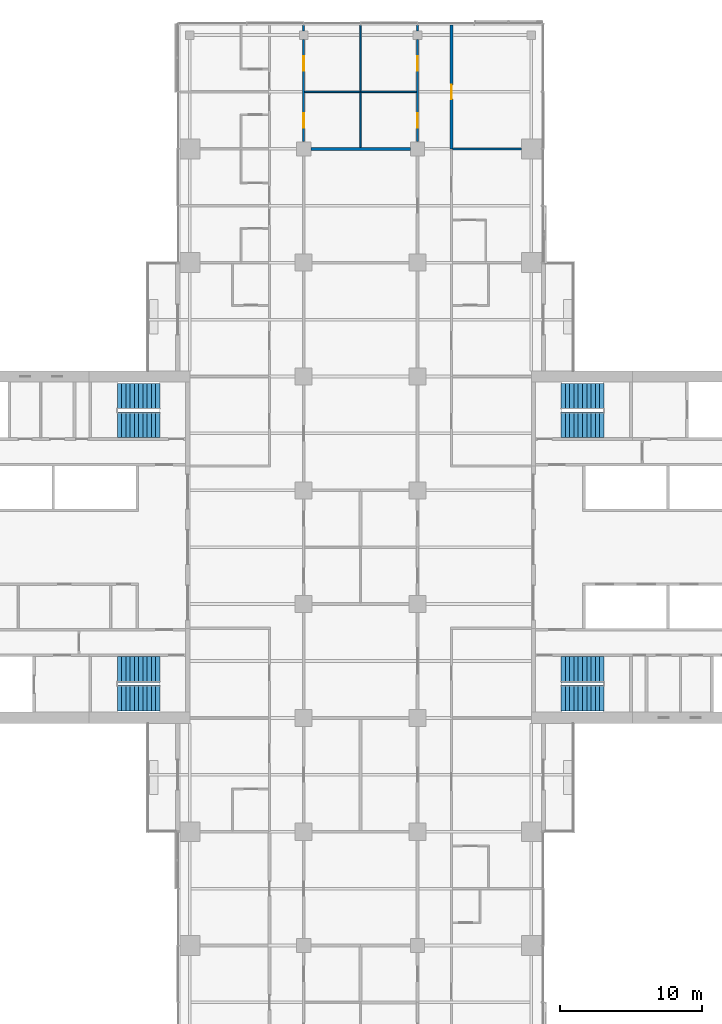
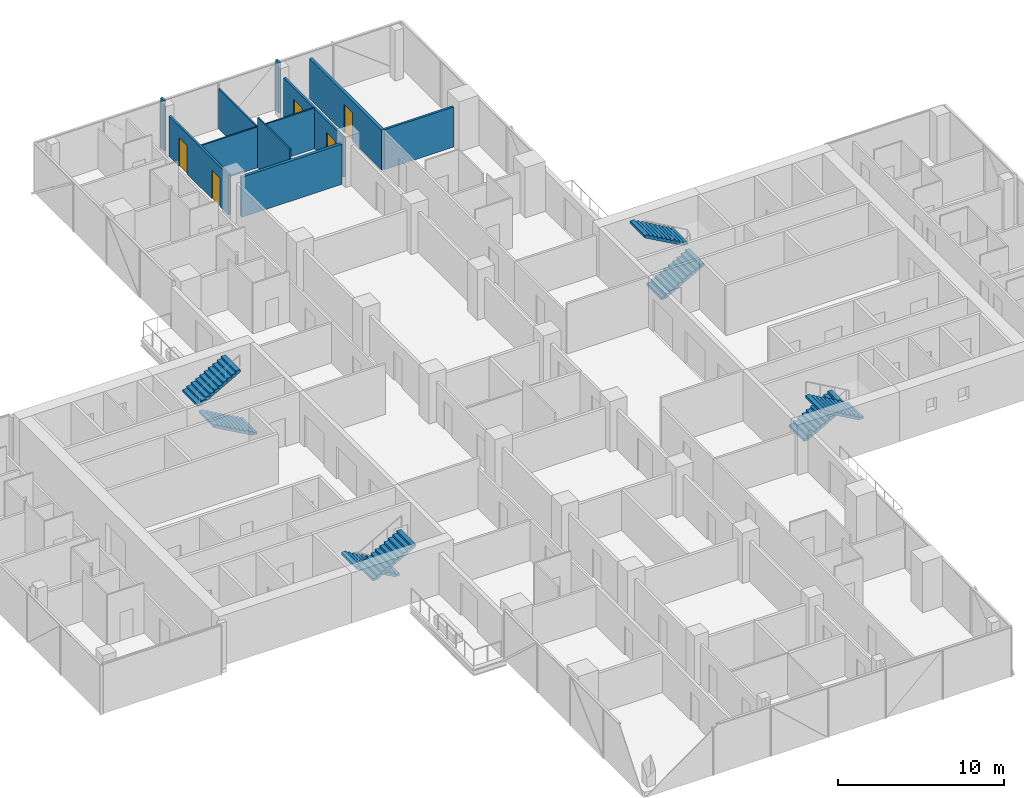
# One storey, part 22 of 27: 10 walls, 8 stair flights, 5 doors, 5 openings, 4 elements without a shape of their own.
"""IFC4 building model written with IfcOpenShell, lengths in metres."""

from ifc_helpers import new_model, si_unit, direction, frame, frame_2d, origin, place, context, subcontext, project, spatial, polyline, rectangle, outline, extrude, material, layer, layer_set, type_object, element, fill, aggregate, save


model = new_model("IFC4")

# Units and contexts
model_context = context("Model", 3, precision=1e-05, world=origin(), true_north=direction((0.0, 1.0)))
body_context = subcontext(model_context, "Body", "Model", "MODEL_VIEW")
ifc_project = project(units=[si_unit("LENGTHUNIT", "METRE"), si_unit("AREAUNIT", "SQUARE_METRE"), si_unit("VOLUMEUNIT", "CUBIC_METRE"), si_unit("PLANEANGLEUNIT", "RADIAN"), si_unit("MASSUNIT", "GRAM", prefix="KILO")], contexts=[model_context])

# Site, building, storey
site_placement = place(None, origin())
site = spatial("IfcSite", under=ifc_project, at=site_placement, CompositionType="ELEMENT")
building_placement = place(site_placement, origin())
building = spatial("IfcBuilding", under=site, at=building_placement, Name="Crosswind Convention Tower", CompositionType="ELEMENT")
storey_placement = place(building_placement, frame((0.0, 0.0, 90.5)))
storey = spatial("IfcBuildingStorey", under=building, at=storey_placement, Name="L17", CompositionType="ELEMENT", Elevation=90.5)

# Wall, openings, doors
ifc_material_1 = material(Name="Plasterboard partition", Category="gypsum")
ifc_layer_1 = layer(ifc_material_1, 0.14990234375)
ifc_layer_set_1 = layer_set([ifc_layer_1], Name="CORRIDOR WALL 150")
wall_type_1 = type_object("IfcWallType", Name="CORRIDOR WALL 150", PredefinedType="PARTITIONING", material=ifc_layer_set_1)
wall_1_placement = place(storey_placement, frame((121.0, 128.5, 0.0), z_axis=(0.0, 0.0, 1.0), x_axis=(0.0, 1.0, 0.0)))
wall_1 = element("IfcWall", 1, at=wall_1_placement, inside=storey, type_object=wall_type_1, Name="Corridor Wall 92", PredefinedType="PARTITIONING", context=body_context, shape_type="SweptSolid", body=[
    extrude(rectangle(XDim=7.199951171875, YDim=0.14990234375, at=frame_2d((3.60009765625, 0.0))), origin(), (0.0, 0.0, 1.0), 2.959716796875),
])
opening_1_placement = place(wall_1_placement, frame((1.0, 0.0, 0.0)))
opening_1 = element("IfcOpeningElement", 2, at=opening_1_placement, cuts=wall_1, Name="Opening 17.064", PredefinedType="OPENING", context=body_context, shape_type="SweptSolid", body=[
    extrude(rectangle(XDim=1.0, YDim=2.10009765625, at=frame_2d((0.5, 1.050048828125))), frame((0.0, 0.0849609375, 0.0), z_axis=(0.0, -1.0, 0.0), x_axis=(1.0, 0.0, 0.0)), (0.0, 0.0, 1.0), 0.169921875),
])
opening_2_placement = place(wall_1_placement, frame((5.0, 0.0, 0.0)))
opening_2 = element("IfcOpeningElement", 3, at=opening_2_placement, cuts=wall_1, Name="Opening 17.065", PredefinedType="OPENING", context=body_context, shape_type="SweptSolid", body=[
    extrude(rectangle(XDim=1.0, YDim=2.10009765625, at=frame_2d((0.5, 1.050048828125))), frame((0.0, 0.0849609375, 0.0), z_axis=(0.0, -1.0, 0.0), x_axis=(1.0, 0.0, 0.0)), (0.0, 0.0, 1.0), 0.169921875),
])
ifc_material_2 = material(Name="Timber fire door", Category="wood")
door_type_1 = type_object("IfcDoorType", Name="SERVICE ROOM DOOR 1000X2100", OperationType="NOTDEFINED", PredefinedType="DOOR", material=ifc_material_2)
door_1_placement = place(opening_1_placement, frame((1.0, 0.0, 0.0), z_axis=(0.0, 0.0, 1.0), x_axis=(-1.0, 0.0, 0.0)))
door_1 = element("IfcDoor", 4, at=door_1_placement, inside=storey, type_object=door_type_1, Name="Door 17.064", ObjectType="D3", OperationType="SINGLE_SWING_RIGHT", OverallHeight=2.10009765625, OverallWidth=1.0, PredefinedType="DOOR", context=body_context, shape_type="SweptSolid", body=[
    extrude(rectangle(XDim=1.0, YDim=2.10009765625, at=frame_2d((0.5, 1.050048828125))), frame((0.0, 0.02490234375, 0.0), z_axis=(0.0, -1.0, 0.0), x_axis=(1.0, 0.0, 0.0)), (0.0, 0.0, 1.0), 0.050048828125),
])
fill(opening_1, door_1)
door_2_placement = place(opening_2_placement, frame((1.0, 0.0, 0.0), z_axis=(0.0, 0.0, 1.0), x_axis=(-1.0, 0.0, 0.0)))
door_2 = element("IfcDoor", 5, at=door_2_placement, inside=storey, type_object=door_type_1, Name="Door 17.065", ObjectType="D3", OperationType="SINGLE_SWING_LEFT", OverallHeight=2.10009765625, OverallWidth=1.0, PredefinedType="DOOR", context=body_context, shape_type="SweptSolid", body=[
    extrude(rectangle(XDim=1.0, YDim=2.10009765625, at=frame_2d((0.5, 1.050048828125))), frame((0.0, 0.02490234375, 0.0), z_axis=(0.0, -1.0, 0.0), x_axis=(1.0, 0.0, 0.0)), (0.0, 0.0, 1.0), 0.050048828125),
])
fill(opening_2, door_2)

# Wall
wall_2_placement = place(storey_placement, frame((121.0, 136.300048828125, 0.0), z_axis=(0.0, 0.0, 1.0), x_axis=(0.0, 1.0, 0.0)))
element("IfcWall", 6, at=wall_2_placement, inside=storey, type_object=wall_type_1, Name="Corridor Wall 93", PredefinedType="PARTITIONING", context=body_context, shape_type="SweptSolid", body=[
    extrude(rectangle(XDim=0.39990234375, YDim=0.14990234375, at=frame_2d((0.199951171875, 0.0))), origin(), (0.0, 0.0, 1.0), 3.699951171875),
])

# Wall, openings, doors
wall_3_placement = place(storey_placement, frame((129.0, 128.5, 0.0), z_axis=(0.0, 0.0, 1.0), x_axis=(0.0, 1.0, 0.0)))
wall_3 = element("IfcWall", 7, at=wall_3_placement, inside=storey, type_object=wall_type_1, Name="Corridor Wall 112", PredefinedType="PARTITIONING", context=body_context, shape_type="SweptSolid", body=[
    extrude(rectangle(XDim=7.199951171875, YDim=0.14990234375, at=frame_2d((3.60009765625, 0.0))), origin(), (0.0, 0.0, 1.0), 2.959716796875),
])
opening_3_placement = place(wall_3_placement, frame((1.0, 0.0, 0.0)))
opening_3 = element("IfcOpeningElement", 8, at=opening_3_placement, cuts=wall_3, Name="Opening 17.066", PredefinedType="OPENING", context=body_context, shape_type="SweptSolid", body=[
    extrude(rectangle(XDim=1.0, YDim=2.10009765625, at=frame_2d((0.5, 1.050048828125))), frame((0.0, 0.0849609375, 0.0), z_axis=(0.0, -1.0, 0.0), x_axis=(1.0, 0.0, 0.0)), (0.0, 0.0, 1.0), 0.169921875),
])
opening_4_placement = place(wall_3_placement, frame((5.0, 0.0, 0.0)))
opening_4 = element("IfcOpeningElement", 9, at=opening_4_placement, cuts=wall_3, Name="Opening 17.067", PredefinedType="OPENING", context=body_context, shape_type="SweptSolid", body=[
    extrude(rectangle(XDim=1.0, YDim=2.10009765625, at=frame_2d((0.5, 1.050048828125))), frame((0.0, 0.0849609375, 0.0), z_axis=(0.0, -1.0, 0.0), x_axis=(1.0, 0.0, 0.0)), (0.0, 0.0, 1.0), 0.169921875),
])
door_3_placement = place(opening_3_placement, origin())
door_3 = element("IfcDoor", 10, at=door_3_placement, inside=storey, type_object=door_type_1, Name="Door 17.066", ObjectType="D3", OperationType="SINGLE_SWING_LEFT", OverallHeight=2.10009765625, OverallWidth=1.0, PredefinedType="DOOR", context=body_context, shape_type="SweptSolid", body=[
    extrude(rectangle(XDim=1.0, YDim=2.10009765625, at=frame_2d((0.5, 1.050048828125))), frame((0.0, 0.02490234375, 0.0), z_axis=(0.0, -1.0, 0.0), x_axis=(1.0, 0.0, 0.0)), (0.0, 0.0, 1.0), 0.050048828125),
])
fill(opening_3, door_3)
door_4_placement = place(opening_4_placement, origin())
door_4 = element("IfcDoor", 11, at=door_4_placement, inside=storey, type_object=door_type_1, Name="Door 17.067", ObjectType="D3", OperationType="SINGLE_SWING_RIGHT", OverallHeight=2.10009765625, OverallWidth=1.0, PredefinedType="DOOR", context=body_context, shape_type="SweptSolid", body=[
    extrude(rectangle(XDim=1.0, YDim=2.10009765625, at=frame_2d((0.5, 1.050048828125))), frame((0.0, 0.02490234375, 0.0), z_axis=(0.0, -1.0, 0.0), x_axis=(1.0, 0.0, 0.0)), (0.0, 0.0, 1.0), 0.050048828125),
])
fill(opening_4, door_4)

# Walls
wall_4_placement = place(storey_placement, frame((129.0, 136.300048828125, 0.0), z_axis=(0.0, 0.0, 1.0), x_axis=(0.0, 1.0, 0.0)))
element("IfcWall", 12, at=wall_4_placement, inside=storey, type_object=wall_type_1, Name="Corridor Wall 113", PredefinedType="PARTITIONING", context=body_context, shape_type="SweptSolid", body=[
    extrude(rectangle(XDim=0.39990234375, YDim=0.14990234375, at=frame_2d((0.199951171875, 0.0))), origin(), (0.0, 0.0, 1.0), 3.699951171875),
])
ifc_material_3 = material(Name="Acoustic plasterboard partition", Category="gypsum")
ifc_layer_2 = layer(ifc_material_3, 0.14990234375)
ifc_layer_set_2 = layer_set([ifc_layer_2], Name="GUEST ROOM WALL 150")
wall_type_2 = type_object("IfcWallType", Name="GUEST ROOM WALL 150", PredefinedType="PARTITIONING", material=ifc_layer_set_2)
wall_5_placement = place(storey_placement, frame((131.47509765625, 128.0, 0.0), z_axis=(0.0, 0.0, 1.0), x_axis=(1.0, 0.0, 0.0)))
element("IfcWall", 13, at=wall_5_placement, inside=storey, type_object=wall_type_2, Name="Guest Room Wall 61", PredefinedType="PARTITIONING", context=body_context, shape_type="SweptSolid", body=[
    extrude(rectangle(XDim=4.824951171875, YDim=0.14990234375, at=frame_2d((2.41259765625, 0.0))), origin(), (0.0, 0.0, 1.0), 2.959716796875),
])
ifc_material_4 = material(Name="Double plasterboard partition", Category="gypsum")
ifc_layer_3 = layer(ifc_material_4, 0.199951171875)
ifc_layer_set_3 = layer_set([ifc_layer_3], Name="HALL WALL 200")
wall_type_3 = type_object("IfcWallType", Name="HALL WALL 200", PredefinedType="PARTITIONING", material=ifc_layer_set_3)
wall_6_placement = place(storey_placement, frame((121.5, 128.0, 0.0), z_axis=(0.0, 0.0, 1.0), x_axis=(1.0, 0.0, 0.0)))
element("IfcWall", 14, at=wall_6_placement, inside=storey, type_object=wall_type_3, Name="Hall Wall 60", PredefinedType="PARTITIONING", context=body_context, shape_type="SweptSolid", body=[
    extrude(rectangle(XDim=7.0, YDim=0.199951171875, at=frame_2d((3.5, 0.0))), origin(), (0.0, 0.0, 1.0), 2.959716796875),
])

# Wall, opening, door
wall_7_placement = place(storey_placement, frame((131.39990234375, 128.0, 0.0), z_axis=(0.0, 0.0, 1.0), x_axis=(0.0, 1.0, 0.0)))
wall_7 = element("IfcWall", 15, at=wall_7_placement, inside=storey, type_object=wall_type_3, Name="Hall Wall 118", PredefinedType="PARTITIONING", context=body_context, shape_type="SweptSolid", body=[
    extrude(rectangle(XDim=8.699951171875, YDim=0.199951171875, at=frame_2d((4.35009765625, 0.0))), origin(), (0.0, 0.0, 1.0), 2.959716796875),
])
opening_5_placement = place(wall_7_placement, frame((3.5, 0.0, 0.0)))
opening_5 = element("IfcOpeningElement", 16, at=opening_5_placement, cuts=wall_7, Name="Opening 17.009", PredefinedType="OPENING", context=body_context, shape_type="SweptSolid", body=[
    extrude(rectangle(XDim=1.0, YDim=2.10009765625, at=frame_2d((0.5, 1.050048828125))), frame((0.0, 0.10986328125, 0.0), z_axis=(0.0, -1.0, 0.0), x_axis=(1.0, 0.0, 0.0)), (0.0, 0.0, 1.0), 0.219970703125),
])
door_type_2 = type_object("IfcDoorType", Name="MEETING ROOM DOOR 1000X2100", OperationType="NOTDEFINED", PredefinedType="DOOR", material=ifc_material_2)
door_5_placement = place(opening_5_placement, origin())
door_5 = element("IfcDoor", 17, at=door_5_placement, inside=storey, type_object=door_type_2, Name="Door 17.009", ObjectType="D13", OperationType="SINGLE_SWING_RIGHT", OverallHeight=2.10009765625, OverallWidth=1.0, PredefinedType="DOOR", context=body_context, shape_type="SweptSolid", body=[
    extrude(rectangle(XDim=1.0, YDim=2.10009765625, at=frame_2d((0.5, 1.050048828125))), frame((0.0, 0.02490234375, 0.0), z_axis=(0.0, -1.0, 0.0), x_axis=(1.0, 0.0, 0.0)), (0.0, 0.0, 1.0), 0.050048828125),
])
fill(opening_5, door_5)

# Walls
ifc_layer_4 = layer(ifc_material_1, 0.10009765625)
ifc_layer_set_4 = layer_set([ifc_layer_4], Name="PARTITION 100")
wall_type_4 = type_object("IfcWallType", Name="PARTITION 100", PredefinedType="PARTITIONING", material=ifc_layer_set_4)
wall_8_placement = place(storey_placement, frame((121.074951171875, 132.0, 0.0), z_axis=(0.0, 0.0, 1.0), x_axis=(1.0, 0.0, 0.0)))
element("IfcWall", 18, at=wall_8_placement, inside=storey, type_object=wall_type_4, Name="Partition 64", PredefinedType="PARTITIONING", context=body_context, shape_type="SweptSolid", body=[
    extrude(rectangle(XDim=7.85009765625, YDim=0.10009765625, at=frame_2d((3.925048828125, 0.0))), origin(), (0.0, 0.0, 1.0), 3.013671875),
])
wall_9_placement = place(storey_placement, frame((125.0, 128.10009765625, 0.0), z_axis=(0.0, 0.0, 1.0), x_axis=(0.0, 1.0, 0.0)))
element("IfcWall", 19, at=wall_9_placement, inside=storey, type_object=wall_type_4, Name="Partition 99", PredefinedType="PARTITIONING", context=body_context, shape_type="SweptSolid", body=[
    extrude(rectangle(XDim=3.849853515625, YDim=0.10009765625, at=frame_2d((1.9248046875, 0.0))), origin(), (0.0, 0.0, 1.0), 3.699951171875),
])
wall_10_placement = place(storey_placement, frame((125.0, 132.050048828125, 0.0), z_axis=(0.0, 0.0, 1.0), x_axis=(0.0, 1.0, 0.0)))
element("IfcWall", 20, at=wall_10_placement, inside=storey, type_object=wall_type_4, Name="Partition 100", PredefinedType="PARTITIONING", context=body_context, shape_type="SweptSolid", body=[
    extrude(rectangle(XDim=4.64990234375, YDim=0.10009765625, at=frame_2d((2.324951171875, 0.0))), origin(), (0.0, 0.0, 1.0), 2.962890625),
])

# Stair, stair flights
ifc_material_5 = material(Name="Concrete C40/50", Category="concrete")
stair_type = type_object("IfcStairType", Name="Exit stair 1800 wide, 2 flights of 11 risers", PredefinedType="HALF_TURN_STAIR", material=ifc_material_5)
stair_1_placement = place(storey_placement, origin())
stair_1 = element("IfcStair", 21, at=stair_1_placement, inside=storey, type_object=stair_type, Name="Exit stair ST1 L17", ObjectType="ST5", PredefinedType="HALF_TURN_STAIR")
stair_flight_type = type_object("IfcStairFlightType", Name="Stair flight 1800 wide, 11 risers (SF3)", PredefinedType="STRAIGHT", material=ifc_material_5)
stair_flight_1_placement = place(storey_placement, frame((139.10009765625, 108.60009765625, 0.0), z_axis=(0.0, 0.0, 1.0), x_axis=(1.0, 0.0, 0.0)))
stair_flight_1 = element("IfcStairFlight", 22, at=stair_flight_1_placement, type_object=stair_flight_type, Name="ST1 flight 1", NumberOfRisers=11, NumberOfTreads=10, PredefinedType="STRAIGHT", RiserHeight=0.168181818, TreadLength=0.3, context=body_context, shape_type="SweptSolid", body=[
    extrude(outline(polyline([(0.0, 0.0), (0.0, 0.168212890625), (0.300048828125, 0.168212890625), (0.300048828125, 0.33642578125), (0.60009765625, 0.33642578125), (0.60009765625, 0.504638671875), (0.89990234375, 0.504638671875), (0.89990234375, 0.672607421875), (1.199951171875, 0.672607421875), (1.199951171875, 0.8408203125), (1.5, 0.8408203125), (1.5, 1.009033203125), (1.800048828125, 1.009033203125), (1.800048828125, 1.17724609375), (2.10009765625, 1.17724609375), (2.10009765625, 1.345458984375), (2.39990234375, 1.345458984375), (2.39990234375, 1.513671875), (2.699951171875, 1.513671875), (2.699951171875, 1.681884765625), (3.0, 1.681884765625), (3.0, 1.85009765625), (3.0, 1.510009765625), (0.306640625, 0.0), (0.0, 0.0)])), frame((0.0, 0.89990234375, 0.0), z_axis=(0.0, -1.0, 0.0), x_axis=(1.0, 0.0, 0.0)), (0.0, 0.0, 1.0), 1.800048828125),
])
stair_flight_2_placement = place(storey_placement, frame((142.10009765625, 110.60009765625, 1.85009765625), z_axis=(0.0, 0.0, 1.0), x_axis=(-1.0, 0.0, 0.0)))
stair_flight_2 = element("IfcStairFlight", 23, at=stair_flight_2_placement, type_object=stair_flight_type, Name="ST1 flight 2", NumberOfRisers=11, NumberOfTreads=10, PredefinedType="STRAIGHT", RiserHeight=0.168181818, TreadLength=0.3, context=body_context, shape_type="SweptSolid", body=[
    extrude(outline(polyline([(0.0, 0.0), (0.0, 0.168212890625), (0.300048828125, 0.168212890625), (0.300048828125, 0.33642578125), (0.60009765625, 0.33642578125), (0.60009765625, 0.504638671875), (0.89990234375, 0.504638671875), (0.89990234375, 0.672607421875), (1.199951171875, 0.672607421875), (1.199951171875, 0.8408203125), (1.5, 0.8408203125), (1.5, 1.009033203125), (1.800048828125, 1.009033203125), (1.800048828125, 1.17724609375), (2.10009765625, 1.17724609375), (2.10009765625, 1.345458984375), (2.39990234375, 1.345458984375), (2.39990234375, 1.513671875), (2.699951171875, 1.513671875), (2.699951171875, 1.681884765625), (3.0, 1.681884765625), (3.0, 1.85009765625), (3.0, 1.510009765625), (0.306640625, 0.0), (0.0, 0.0)])), frame((0.0, 0.89990234375, 0.0), z_axis=(0.0, -1.0, 0.0), x_axis=(1.0, 0.0, 0.0)), (0.0, 0.0, 1.0), 1.800048828125),
])
aggregate(stair_1, [stair_flight_1, stair_flight_2])

stair_2_placement = place(storey_placement, origin())
stair_2 = element("IfcStair", 24, at=stair_2_placement, inside=storey, type_object=stair_type, Name="Exit stair ST2 L17", ObjectType="ST5", PredefinedType="HALF_TURN_STAIR")
stair_flight_3_placement = place(storey_placement, frame((139.10009765625, 91.39990234375, 0.0), z_axis=(0.0, 0.0, 1.0), x_axis=(1.0, 0.0, 0.0)))
stair_flight_3 = element("IfcStairFlight", 25, at=stair_flight_3_placement, type_object=stair_flight_type, Name="ST2 flight 1", NumberOfRisers=11, NumberOfTreads=10, PredefinedType="STRAIGHT", RiserHeight=0.168181818, TreadLength=0.3, context=body_context, shape_type="SweptSolid", body=[
    extrude(outline(polyline([(0.0, 0.0), (0.0, 0.168212890625), (0.300048828125, 0.168212890625), (0.300048828125, 0.33642578125), (0.60009765625, 0.33642578125), (0.60009765625, 0.504638671875), (0.89990234375, 0.504638671875), (0.89990234375, 0.672607421875), (1.199951171875, 0.672607421875), (1.199951171875, 0.8408203125), (1.5, 0.8408203125), (1.5, 1.009033203125), (1.800048828125, 1.009033203125), (1.800048828125, 1.17724609375), (2.10009765625, 1.17724609375), (2.10009765625, 1.345458984375), (2.39990234375, 1.345458984375), (2.39990234375, 1.513671875), (2.699951171875, 1.513671875), (2.699951171875, 1.681884765625), (3.0, 1.681884765625), (3.0, 1.85009765625), (3.0, 1.510009765625), (0.306640625, 0.0), (0.0, 0.0)])), frame((0.0, 0.89990234375, 0.0), z_axis=(0.0, -1.0, 0.0), x_axis=(1.0, 0.0, 0.0)), (0.0, 0.0, 1.0), 1.800048828125),
])
stair_flight_4_placement = place(storey_placement, frame((142.10009765625, 89.39990234375, 1.85009765625), z_axis=(0.0, 0.0, 1.0), x_axis=(-1.0, 0.0, 0.0)))
stair_flight_4 = element("IfcStairFlight", 26, at=stair_flight_4_placement, type_object=stair_flight_type, Name="ST2 flight 2", NumberOfRisers=11, NumberOfTreads=10, PredefinedType="STRAIGHT", RiserHeight=0.168181818, TreadLength=0.3, context=body_context, shape_type="SweptSolid", body=[
    extrude(outline(polyline([(0.0, 0.0), (0.0, 0.168212890625), (0.300048828125, 0.168212890625), (0.300048828125, 0.33642578125), (0.60009765625, 0.33642578125), (0.60009765625, 0.504638671875), (0.89990234375, 0.504638671875), (0.89990234375, 0.672607421875), (1.199951171875, 0.672607421875), (1.199951171875, 0.8408203125), (1.5, 0.8408203125), (1.5, 1.009033203125), (1.800048828125, 1.009033203125), (1.800048828125, 1.17724609375), (2.10009765625, 1.17724609375), (2.10009765625, 1.345458984375), (2.39990234375, 1.345458984375), (2.39990234375, 1.513671875), (2.699951171875, 1.513671875), (2.699951171875, 1.681884765625), (3.0, 1.681884765625), (3.0, 1.85009765625), (3.0, 1.510009765625), (0.306640625, 0.0), (0.0, 0.0)])), frame((0.0, 0.89990234375, 0.0), z_axis=(0.0, -1.0, 0.0), x_axis=(1.0, 0.0, 0.0)), (0.0, 0.0, 1.0), 1.800048828125),
])
aggregate(stair_2, [stair_flight_3, stair_flight_4])

stair_3_placement = place(storey_placement, origin())
stair_3 = element("IfcStair", 27, at=stair_3_placement, inside=storey, type_object=stair_type, Name="Exit stair ST3 L17", ObjectType="ST5", PredefinedType="HALF_TURN_STAIR")
stair_flight_5_placement = place(storey_placement, frame((110.89990234375, 91.39990234375, 0.0), z_axis=(0.0, 0.0, 1.0), x_axis=(-1.0, 0.0, 0.0)))
stair_flight_5 = element("IfcStairFlight", 28, at=stair_flight_5_placement, type_object=stair_flight_type, Name="ST3 flight 1", NumberOfRisers=11, NumberOfTreads=10, PredefinedType="STRAIGHT", RiserHeight=0.168181818, TreadLength=0.3, context=body_context, shape_type="SweptSolid", body=[
    extrude(outline(polyline([(0.0, 0.0), (0.0, 0.168212890625), (0.300048828125, 0.168212890625), (0.300048828125, 0.33642578125), (0.60009765625, 0.33642578125), (0.60009765625, 0.504638671875), (0.89990234375, 0.504638671875), (0.89990234375, 0.672607421875), (1.199951171875, 0.672607421875), (1.199951171875, 0.8408203125), (1.5, 0.8408203125), (1.5, 1.009033203125), (1.800048828125, 1.009033203125), (1.800048828125, 1.17724609375), (2.10009765625, 1.17724609375), (2.10009765625, 1.345458984375), (2.39990234375, 1.345458984375), (2.39990234375, 1.513671875), (2.699951171875, 1.513671875), (2.699951171875, 1.681884765625), (3.0, 1.681884765625), (3.0, 1.85009765625), (3.0, 1.510009765625), (0.306640625, 0.0), (0.0, 0.0)])), frame((0.0, 0.89990234375, 0.0), z_axis=(0.0, -1.0, 0.0), x_axis=(1.0, 0.0, 0.0)), (0.0, 0.0, 1.0), 1.800048828125),
])
stair_flight_6_placement = place(storey_placement, frame((107.89990234375, 89.39990234375, 1.85009765625), z_axis=(0.0, 0.0, 1.0), x_axis=(1.0, 0.0, 0.0)))
stair_flight_6 = element("IfcStairFlight", 29, at=stair_flight_6_placement, type_object=stair_flight_type, Name="ST3 flight 2", NumberOfRisers=11, NumberOfTreads=10, PredefinedType="STRAIGHT", RiserHeight=0.168181818, TreadLength=0.3, context=body_context, shape_type="SweptSolid", body=[
    extrude(outline(polyline([(0.0, 0.0), (0.0, 0.168212890625), (0.300048828125, 0.168212890625), (0.300048828125, 0.33642578125), (0.60009765625, 0.33642578125), (0.60009765625, 0.504638671875), (0.89990234375, 0.504638671875), (0.89990234375, 0.672607421875), (1.199951171875, 0.672607421875), (1.199951171875, 0.8408203125), (1.5, 0.8408203125), (1.5, 1.009033203125), (1.800048828125, 1.009033203125), (1.800048828125, 1.17724609375), (2.10009765625, 1.17724609375), (2.10009765625, 1.345458984375), (2.39990234375, 1.345458984375), (2.39990234375, 1.513671875), (2.699951171875, 1.513671875), (2.699951171875, 1.681884765625), (3.0, 1.681884765625), (3.0, 1.85009765625), (3.0, 1.510009765625), (0.306640625, 0.0), (0.0, 0.0)])), frame((0.0, 0.89990234375, 0.0), z_axis=(0.0, -1.0, 0.0), x_axis=(1.0, 0.0, 0.0)), (0.0, 0.0, 1.0), 1.800048828125),
])
aggregate(stair_3, [stair_flight_5, stair_flight_6])

stair_4_placement = place(storey_placement, origin())
stair_4 = element("IfcStair", 30, at=stair_4_placement, inside=storey, type_object=stair_type, Name="Exit stair ST4 L17", ObjectType="ST5", PredefinedType="HALF_TURN_STAIR")
stair_flight_7_placement = place(storey_placement, frame((110.89990234375, 108.60009765625, 0.0), z_axis=(0.0, 0.0, 1.0), x_axis=(-1.0, 0.0, 0.0)))
stair_flight_7 = element("IfcStairFlight", 31, at=stair_flight_7_placement, type_object=stair_flight_type, Name="ST4 flight 1", NumberOfRisers=11, NumberOfTreads=10, PredefinedType="STRAIGHT", RiserHeight=0.168181818, TreadLength=0.3, context=body_context, shape_type="SweptSolid", body=[
    extrude(outline(polyline([(0.0, 0.0), (0.0, 0.168212890625), (0.300048828125, 0.168212890625), (0.300048828125, 0.33642578125), (0.60009765625, 0.33642578125), (0.60009765625, 0.504638671875), (0.89990234375, 0.504638671875), (0.89990234375, 0.672607421875), (1.199951171875, 0.672607421875), (1.199951171875, 0.8408203125), (1.5, 0.8408203125), (1.5, 1.009033203125), (1.800048828125, 1.009033203125), (1.800048828125, 1.17724609375), (2.10009765625, 1.17724609375), (2.10009765625, 1.345458984375), (2.39990234375, 1.345458984375), (2.39990234375, 1.513671875), (2.699951171875, 1.513671875), (2.699951171875, 1.681884765625), (3.0, 1.681884765625), (3.0, 1.85009765625), (3.0, 1.510009765625), (0.306640625, 0.0), (0.0, 0.0)])), frame((0.0, 0.89990234375, 0.0), z_axis=(0.0, -1.0, 0.0), x_axis=(1.0, 0.0, 0.0)), (0.0, 0.0, 1.0), 1.800048828125),
])
stair_flight_8_placement = place(storey_placement, frame((107.89990234375, 110.60009765625, 1.85009765625), z_axis=(0.0, 0.0, 1.0), x_axis=(1.0, 0.0, 0.0)))
stair_flight_8 = element("IfcStairFlight", 32, at=stair_flight_8_placement, type_object=stair_flight_type, Name="ST4 flight 2", NumberOfRisers=11, NumberOfTreads=10, PredefinedType="STRAIGHT", RiserHeight=0.168181818, TreadLength=0.3, context=body_context, shape_type="SweptSolid", body=[
    extrude(outline(polyline([(0.0, 0.0), (0.0, 0.168212890625), (0.300048828125, 0.168212890625), (0.300048828125, 0.33642578125), (0.60009765625, 0.33642578125), (0.60009765625, 0.504638671875), (0.89990234375, 0.504638671875), (0.89990234375, 0.672607421875), (1.199951171875, 0.672607421875), (1.199951171875, 0.8408203125), (1.5, 0.8408203125), (1.5, 1.009033203125), (1.800048828125, 1.009033203125), (1.800048828125, 1.17724609375), (2.10009765625, 1.17724609375), (2.10009765625, 1.345458984375), (2.39990234375, 1.345458984375), (2.39990234375, 1.513671875), (2.699951171875, 1.513671875), (2.699951171875, 1.681884765625), (3.0, 1.681884765625), (3.0, 1.85009765625), (3.0, 1.510009765625), (0.306640625, 0.0), (0.0, 0.0)])), frame((0.0, 0.89990234375, 0.0), z_axis=(0.0, -1.0, 0.0), x_axis=(1.0, 0.0, 0.0)), (0.0, 0.0, 1.0), 1.800048828125),
])
aggregate(stair_4, [stair_flight_7, stair_flight_8])

save(model, "model.ifc")
